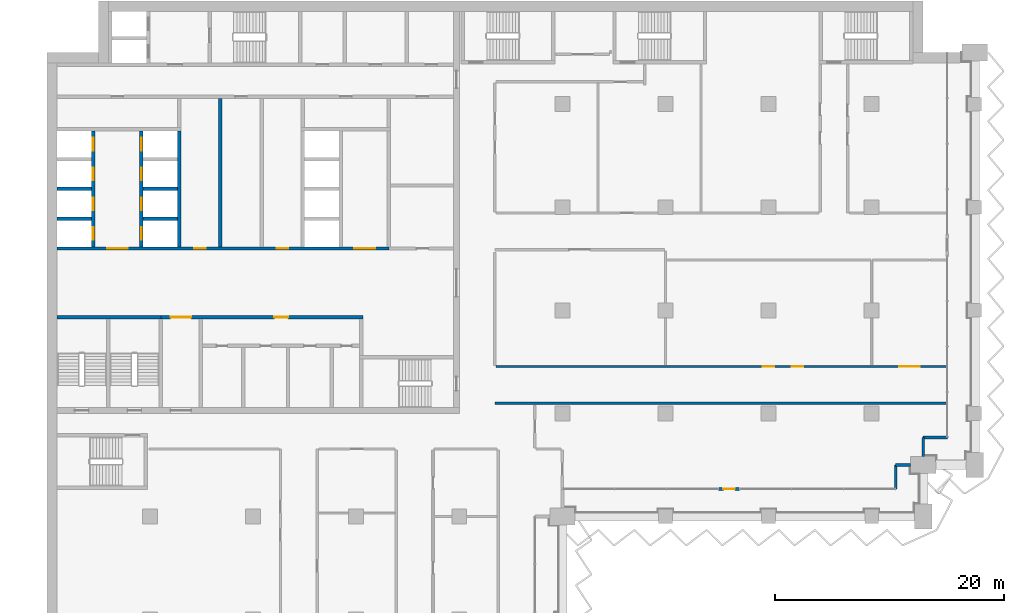
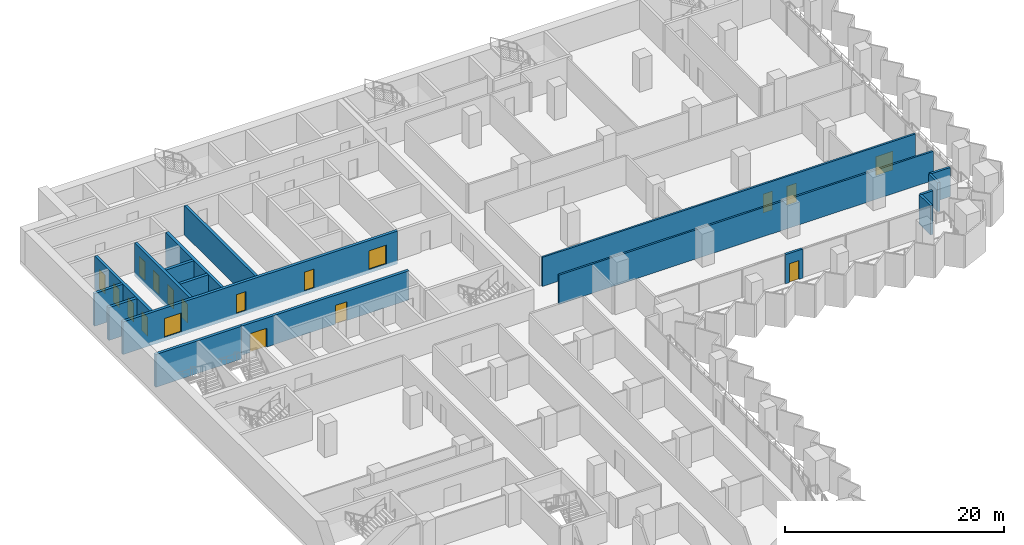
# One storey, part 12 of 23: 18 doors, 18 walls, 18 openings.
"""IFC4 building model written with IfcOpenShell, lengths in metres."""

import ifcopenshell
import ifcopenshell.guid

model = None  # the IFC model being written
_history = None  # IfcOwnerHistory: only IFC2X3 demands one
_inside = {}  # id of a spatial element -> (the spatial element, [elements in it])
_under = {}  # id of a project, library or spatial element -> (it, [spatial elements below it])
_declared = {}  # id of a project -> (the project, [libraries it declares])
_typed = {}  # id of a type object -> (the type object, [elements of that type])
_made_of = {}  # id of a material, layer set ... -> (it, [elements and type objects made of it])


def new_model(schema):
    """Start an empty IFC model of exactly this schema.

    Asked for "IFC4X3", IfcOpenShell would pick the latest addendum, in which some entities
    have other attributes; the version numbers below select the first issue.
    IFC2X3 requires an IfcOwnerHistory on every rooted entity: one is made here for all.
    """
    global model, _history
    if schema == "IFC4X3":
        model = ifcopenshell.file(schema_version=(4, 3, 0, 0))
    else:
        model = ifcopenshell.file(schema=schema)
    _inside.clear()
    _under.clear()
    _declared.clear()
    _typed.clear()
    _made_of.clear()
    _history = None
    if model.schema == "IFC2X3":
        org = make("IfcOrganization", Name="unknown")
        user = make(
            "IfcPersonAndOrganization",
            ThePerson=make("IfcPerson", FamilyName="unknown"),
            TheOrganization=org,
        )
        app = make(
            "IfcApplication",
            ApplicationDeveloper=org,
            Version="unknown",
            ApplicationFullName="unknown",
            ApplicationIdentifier="unknown",
        )
        _history = make(
            "IfcOwnerHistory",
            OwningUser=user,
            OwningApplication=app,
            ChangeAction="ADDED",
            CreationDate=0,
        )
    return model


def make(cls, **values):
    """One entity of the class cls with the attributes given. An attribute that is None is left unset."""
    return model.create_entity(
        cls, **{name: value for name, value in values.items() if value is not None}
    )


def rooted(cls, **values):
    """An entity with a GlobalId (a new one), such as an element, a storey or a relation."""
    return make(cls, GlobalId=ifcopenshell.guid.new(), OwnerHistory=_history, **values)


def si_unit(unit_type, name, prefix=None):
    """IfcSIUnit, for example si_unit("LENGTHUNIT", "METRE", prefix="MILLI")."""
    return make("IfcSIUnit", UnitType=unit_type, Prefix=prefix, Name=name)


def assignment(units):
    """IfcUnitAssignment: the units of a project."""
    return None if units is None else make("IfcUnitAssignment", Units=units)


def point(xyz):
    """IfcCartesianPoint."""
    return None if xyz is None else make("IfcCartesianPoint", Coordinates=xyz)


def direction(xyz):
    """IfcDirection."""
    return None if xyz is None else make("IfcDirection", DirectionRatios=xyz)


def frame(location, z_axis=None, x_axis=None):
    """IfcAxis2Placement3D, a coordinate frame: its origin and axes. An axis left out is left unset."""
    return make(
        "IfcAxis2Placement3D",
        Location=point(location),
        Axis=direction(z_axis),
        RefDirection=direction(x_axis),
    )


def frame_2d(location, x_axis=None):
    """IfcAxis2Placement2D, a coordinate frame in the plane: its origin and x axis."""
    return make(
        "IfcAxis2Placement2D", Location=point(location), RefDirection=direction(x_axis)
    )


def origin():
    """The frame at (0, 0, 0) with its axes left unset."""
    return frame((0.0, 0.0, 0.0))


def place(relative_to, where):
    """IfcLocalPlacement: puts the frame where relative to a parent placement (None: the world)."""
    return make(
        "IfcLocalPlacement", PlacementRelTo=relative_to, RelativePlacement=where
    )


def context(
    kind, dimensions, precision=None, world=None, true_north=None, identifier=None
):
    """IfcGeometricRepresentationContext, for example the 3D "Model" context."""
    return make(
        "IfcGeometricRepresentationContext",
        ContextIdentifier=identifier,
        ContextType=kind,
        CoordinateSpaceDimension=dimensions,
        Precision=precision,
        WorldCoordinateSystem=world,
        TrueNorth=true_north,
    )


def subcontext(parent, identifier, kind, view, scale=None):
    """IfcGeometricRepresentationSubContext, for example "Body" below "Model"."""
    return make(
        "IfcGeometricRepresentationSubContext",
        ContextIdentifier=identifier,
        ContextType=kind,
        ParentContext=parent,
        TargetScale=scale,
        TargetView=view,
    )


def project(units=None, contexts=None):
    """IfcProject with its units and contexts."""
    return rooted(
        "IfcProject",
        Name="project",
        RepresentationContexts=contexts,
        UnitsInContext=assignment(units),
    )


def spatial(cls, under=None, at=None, **own):
    """A site, building, storey or space (cls), placed at a placement, below another one or the project."""
    s = rooted(cls, ObjectPlacement=at, **own)
    if under is not None:
        _under.setdefault(under.id(), (under, []))[1].append(s)
    return s


def profile(cls, at=None, kind="AREA", **sizes):
    """A parametric profile (cls). Its sizes go by their IFC names, for example OverallWidth=200.0."""
    return make(cls, ProfileType=kind, Position=at, **sizes)


def rectangle(**sizes):
    """IfcRectangleProfileDef."""
    return profile("IfcRectangleProfileDef", **sizes)


def extrude(swept, where, along, depth):
    """IfcExtrudedAreaSolid: the profile swept, set in the frame where, extruded along a direction by depth."""
    return make(
        "IfcExtrudedAreaSolid",
        SweptArea=swept,
        Position=where,
        ExtrudedDirection=direction(along),
        Depth=depth,
    )


def shape(context_of_items, identifier, shape_type, items):
    """IfcShapeRepresentation: the items that make up one representation, for example the "Body"."""
    return make(
        "IfcShapeRepresentation",
        ContextOfItems=context_of_items,
        RepresentationIdentifier=identifier,
        RepresentationType=shape_type,
        Items=items,
    )


def material(Name=None, Category=None):
    """IfcMaterial."""
    return make("IfcMaterial", Name=Name, Category=Category)


def layer(
    of_material, thickness, ventilated=None, Name=None, Category=None, Priority=None
):
    """IfcMaterialLayer: one layer of a wall or slab, of a material (None: an air gap)."""
    return make(
        "IfcMaterialLayer",
        Material=of_material,
        LayerThickness=thickness,
        IsVentilated=ventilated,
        Name=Name,
        Category=Category,
        Priority=Priority,
    )


def layer_set(layers, Name=None):
    """IfcMaterialLayerSet."""
    return make("IfcMaterialLayerSet", MaterialLayers=layers, LayerSetName=Name)


def made_of(thing, what):
    """Note that an element or type object is made of a material, layer set ...; save() writes the relation."""
    if what is not None:
        _made_of.setdefault(what.id(), (what, []))[1].append(thing)
    return thing


def type_object(cls, material=None, **own):
    """A type object (cls), such as IfcWallType, which elements share."""
    return made_of(rooted(cls, **own), material)


def element(
    cls,
    number,
    at=None,
    inside=None,
    cuts=None,
    type_object=None,
    material=None,
    context=None,
    identifier="Body",
    shape_type=None,
    held_by="IfcProductDefinitionShape",
    body=None,
    shapes=None,
    **own,
):
    """One element of the class cls, such as IfcWall. Its Tag is "e" and its number.

    at: its placement. inside: the storey or other place that contains it. cuts: it is an
    opening in that element (IfcRelVoidsElement). A single representation is given by context,
    identifier, shape_type and body (its items); several are given by shapes. held_by: the class
    of the entity that holds the representations. save() writes the other relations.
    """
    e = rooted(cls, Tag="e%d" % number, ObjectPlacement=at, **own)
    if body is not None:
        shapes = [shape(context, identifier, shape_type, body)]
    if shapes is not None:
        e.Representation = make(held_by, Representations=shapes)
    if inside is not None:
        _inside.setdefault(inside.id(), (inside, []))[1].append(e)
    if cuts is not None:
        rooted(
            "IfcRelVoidsElement", RelatingBuildingElement=cuts, RelatedOpeningElement=e
        )
    if type_object is not None:
        _typed.setdefault(type_object.id(), (type_object, []))[1].append(e)
    return made_of(e, material)


def fill(opening, filler):
    """IfcRelFillsElement: the door or window that sits in an opening."""
    return rooted(
        "IfcRelFillsElement",
        RelatingOpeningElement=opening,
        RelatedBuildingElement=filler,
    )


def aggregate(whole, parts):
    """IfcRelAggregates: a whole, such as a stair, and the parts it consists of."""
    return rooted("IfcRelAggregates", RelatingObject=whole, RelatedObjects=parts)


def save(model, path):
    """Write the relations noted so far, then the file.

    IfcRelAggregates (storeys below a building ...), IfcRelContainedInSpatialStructure (elements
    in a storey), IfcRelDefinesByType, IfcRelAssociatesMaterial and IfcRelDeclares: one each for
    every whole, place, type object, material and project.
    """
    for whole, parts in _under.values():
        aggregate(whole, parts)
    for where, things in _inside.values():
        rooted(
            "IfcRelContainedInSpatialStructure",
            RelatedElements=things,
            RelatingStructure=where,
        )
    for kind, things in _typed.values():
        rooted("IfcRelDefinesByType", RelatedObjects=things, RelatingType=kind)
    for what, things in _made_of.values():
        rooted("IfcRelAssociatesMaterial", RelatedObjects=things, RelatingMaterial=what)
    for by, libraries in _declared.values():
        rooted("IfcRelDeclares", RelatingContext=by, RelatedDefinitions=libraries)
    model.write(path)


model = new_model("IFC4")

# Units and contexts
model_context = context("Model", 3, precision=1e-05, world=origin(), true_north=direction((0.0, 1.0)))
body_context = subcontext(model_context, "Body", "Model", "MODEL_VIEW")
ifc_project = project(units=[si_unit("LENGTHUNIT", "METRE"), si_unit("AREAUNIT", "SQUARE_METRE"), si_unit("VOLUMEUNIT", "CUBIC_METRE"), si_unit("PLANEANGLEUNIT", "RADIAN"), si_unit("MASSUNIT", "GRAM", prefix="KILO")], contexts=[model_context])

# Site, building, storey
site_placement = place(None, origin())
site = spatial("IfcSite", under=ifc_project, at=site_placement, CompositionType="ELEMENT")
building_placement = place(site_placement, origin())
building = spatial("IfcBuilding", under=site, at=building_placement, Name="Hunhe Ridgeline Campus", CompositionType="ELEMENT")
storey_placement = place(building_placement, frame((0.0, 0.0, 125.5)))
storey = spatial("IfcBuildingStorey", under=building, at=storey_placement, Name="L31", CompositionType="ELEMENT", Elevation=125.5)

# Wall, openings, doors
ifc_material_1 = material(Name="Masonry concrete blockwork", Category="masonry")
ifc_layer_1 = layer(ifc_material_1, 0.300048828125)
ifc_layer_set_1 = layer_set([ifc_layer_1], Name="Core room partition 300 concrete block")
wall_type_1 = type_object("IfcWallType", Name="Core room partition 300 concrete block", PredefinedType="PARTITIONING", material=ifc_layer_set_1)
wall_1_placement = place(storey_placement, frame((9.949951171875, 71.39990234375, 0.0), z_axis=(0.0, 0.0, 1.0), x_axis=(1.0, 0.0, 0.0)))
wall_1 = element("IfcWall", 1, at=wall_1_placement, inside=storey, type_object=wall_type_1, Name="L31 core partition 11", PredefinedType="PARTITIONING", context=body_context, shape_type="SweptSolid", body=[
    extrude(rectangle(XDim=17.650146484375, YDim=0.300048828125, at=frame_2d((8.8251953125, 0.0))), origin(), (0.0, 0.0, 1.0), 3.25),
])
opening_1_placement = place(wall_1_placement, frame((0.85009765625, 0.0, 0.0)))
opening_1 = element("IfcOpeningElement", 2, at=opening_1_placement, cuts=wall_1, Name="Opening CD7", PredefinedType="OPENING", context=body_context, shape_type="SweptSolid", body=[
    extrude(rectangle(XDim=1.800048828125, YDim=2.10009765625, at=frame_2d((0.89990234375, 1.050048828125))), frame((0.0, 0.14990234375, 0.0), z_axis=(0.0, -1.0, 0.0), x_axis=(1.0, 0.0, 0.0)), (0.0, 0.0, 1.0), 0.300048828125),
])
opening_2_placement = place(wall_1_placement, frame((9.89990234375, 0.0, 0.0)))
opening_2 = element("IfcOpeningElement", 3, at=opening_2_placement, cuts=wall_1, Name="Opening CD12", PredefinedType="OPENING", context=body_context, shape_type="SweptSolid", body=[
    extrude(rectangle(XDim=1.199951171875, YDim=2.10009765625, at=frame_2d((0.60009765625, 1.050048828125))), frame((0.0, 0.14990234375, 0.0), z_axis=(0.0, -1.0, 0.0), x_axis=(1.0, 0.0, 0.0)), (0.0, 0.0, 1.0), 0.300048828125),
])
ifc_material_2 = material(Name="Anodised aluminium and glass", Category="aluminium")
door_type_1 = type_object("IfcDoorType", Name="Glazed double door 1800x2100", OperationType="DOUBLE_DOOR_SINGLE_SWING", PredefinedType="DOOR", material=ifc_material_2)
door_1_placement = place(opening_1_placement, origin())
door_1 = element("IfcDoor", 4, at=door_1_placement, inside=storey, type_object=door_type_1, Name="L31 door VEST-HALL", OperationType="DOUBLE_DOOR_SINGLE_SWING", OverallHeight=2.10009765625, OverallWidth=1.800048828125, PredefinedType="DOOR", context=body_context, shape_type="SweptSolid", body=[
    extrude(rectangle(XDim=1.800048828125, YDim=2.10009765625, at=frame_2d((0.89990234375, 1.050048828125))), frame((0.0, 0.02490234375, 0.0), z_axis=(0.0, -1.0, 0.0), x_axis=(1.0, 0.0, 0.0)), (0.0, 0.0, 1.0), 0.050048828125),
])
fill(opening_1, door_1)
ifc_material_3 = material(Name="Solid core timber door leaf", Category="wood")
door_type_2 = type_object("IfcDoorType", Name="Timber door 1200x2100", OperationType="SINGLE_SWING_LEFT", PredefinedType="DOOR", material=ifc_material_3)
door_2_placement = place(opening_2_placement, origin())
door_2 = element("IfcDoor", 5, at=door_2_placement, inside=storey, type_object=door_type_2, Name="L31 door WCL2-HALL", OperationType="SINGLE_SWING_LEFT", OverallHeight=2.10009765625, OverallWidth=1.199951171875, PredefinedType="DOOR", context=body_context, shape_type="SweptSolid", body=[
    extrude(rectangle(XDim=1.199951171875, YDim=2.10009765625, at=frame_2d((0.60009765625, 1.050048828125))), frame((0.0, 0.02490234375, 0.0), z_axis=(0.0, -1.0, 0.0), x_axis=(1.0, 0.0, 0.0)), (0.0, 0.0, 1.0), 0.050048828125),
])
fill(opening_2, door_2)

# Walls
wall_2_placement = place(storey_placement, frame((15.14990234375, 77.550048828125, 0.0), z_axis=(0.0, 0.0, 1.0), x_axis=(0.0, 1.0, 0.0)))
element("IfcWall", 6, at=wall_2_placement, inside=storey, type_object=wall_type_1, Name="L31 core partition 44", PredefinedType="PARTITIONING", context=body_context, shape_type="SweptSolid", body=[
    extrude(rectangle(XDim=12.949951171875, YDim=0.300048828125, at=frame_2d((6.47509765625, 0.0))), origin(), (0.0, 0.0, 1.0), 3.25),
])
ifc_material_4 = material(Name="Concrete C30", Category="concrete")
ifc_layer_2 = layer(ifc_material_4, 0.25)
ifc_layer_set_2 = layer_set([ifc_layer_2], Name="Corner return wall 250 Concrete C30")
wall_type_2 = type_object("IfcWallType", Name="Corner return wall 250 Concrete C30", PredefinedType="SOLIDWALL", material=ifc_layer_set_2)
wall_3_placement = place(storey_placement, frame((74.09912109375, 56.40087890625, 0.0), z_axis=(0.0, 0.0, 1.0), x_axis=(0.00011626555, 0.999999993241, 0.0)))
element("IfcWall", 7, at=wall_3_placement, inside=storey, type_object=wall_type_2, Name="Corner return wall 4", PredefinedType="SOLIDWALL", context=body_context, shape_type="SweptSolid", body=[
    extrude(rectangle(XDim=2.099853515625, YDim=0.25, at=frame_2d((1.0498046875, 0.0))), origin(), (0.0, 0.0, 1.0), 3.25),
])
wall_4_placement = place(storey_placement, frame((74.099365234375, 58.500732421875, 0.0), z_axis=(0.0, 0.0, 1.0), x_axis=(0.99999998238, 0.000187722918, 0.0)))
element("IfcWall", 8, at=wall_4_placement, inside=storey, type_object=wall_type_2, Name="Corner return wall 5", PredefinedType="SOLIDWALL", context=body_context, shape_type="SweptSolid", body=[
    extrude(rectangle(XDim=1.300537109375, YDim=0.25, at=frame_2d((0.650390625, 0.0))), origin(), (0.0, 0.0, 1.0), 3.25),
])
wall_5_placement = place(storey_placement, frame((76.4990234375, 59.25, 0.0), z_axis=(0.0, 0.0, 1.0), x_axis=(0.000147907113, 0.999999989062, 0.0)))
element("IfcWall", 9, at=wall_5_placement, inside=storey, type_object=wall_type_2, Name="Corner return wall 6", PredefinedType="SOLIDWALL", context=body_context, shape_type="SweptSolid", body=[
    extrude(rectangle(XDim=1.650634765625, YDim=0.25, at=frame_2d((0.8251953125, 0.0))), origin(), (0.0, 0.0, 1.0), 3.25),
])
wall_6_placement = place(storey_placement, frame((76.499267578125, 60.900634765625, 0.0), z_axis=(0.0, 0.0, 1.0), x_axis=(0.999999993241, 0.00011626555, 0.0)))
element("IfcWall", 10, at=wall_6_placement, inside=storey, type_object=wall_type_2, Name="Corner return wall 7", PredefinedType="SOLIDWALL", context=body_context, shape_type="SweptSolid", body=[
    extrude(rectangle(XDim=2.099853515625, YDim=0.25, at=frame_2d((1.0498046875, 0.0))), origin(), (0.0, 0.0, 1.0), 3.25),
])
ifc_material_5 = material(Name="Gypsum board partition")
ifc_layer_3 = layer(ifc_material_5, 0.199951171875)
ifc_layer_set_3 = layer_set([ifc_layer_3], Name="Corridor partition 200 gypsum board on steel studs")
wall_type_3 = type_object("IfcWallType", Name="Corridor partition 200 gypsum board on steel studs", PredefinedType="PARTITIONING", material=ifc_layer_set_3)
wall_7_placement = place(storey_placement, frame((39.10009765625, 63.89990234375, 0.0), z_axis=(0.0, 0.0, 1.0), x_axis=(1.0, 0.0, 0.0)))
element("IfcWall", 11, at=wall_7_placement, inside=storey, type_object=wall_type_3, Name="F-L31-wall-039", PredefinedType="PARTITIONING", context=body_context, shape_type="SweptSolid", body=[
    extrude(rectangle(XDim=39.44482421875, YDim=0.199951171875, at=frame_2d((19.722412109375, 0.0))), origin(), (0.0, 0.0, 1.0), 3.25),
])

# Wall, openings, doors
wall_8_placement = place(storey_placement, frame((39.199951171875, 67.10009765625, 0.0), z_axis=(0.0, 0.0, 1.0), x_axis=(1.0, 0.0, 0.0)))
wall_8 = element("IfcWall", 12, at=wall_8_placement, inside=storey, type_object=wall_type_3, Name="F-L31-wall-040", PredefinedType="PARTITIONING", context=body_context, shape_type="SweptSolid", body=[
    extrude(rectangle(XDim=39.344970703125, YDim=0.199951171875, at=frame_2d((19.67236328125, 0.0))), origin(), (0.0, 0.0, 1.0), 3.25),
])
opening_3_placement = place(wall_8_placement, frame((23.3076171875, 0.0, 0.0)))
opening_3 = element("IfcOpeningElement", 13, at=opening_3_placement, cuts=wall_8, Name="Opening RD1-023", PredefinedType="OPENING", context=body_context, shape_type="SweptSolid", body=[
    extrude(rectangle(XDim=1.0, YDim=2.10009765625, at=frame_2d((0.5, 1.050048828125))), frame((0.0, 0.10009765625, 0.0), z_axis=(0.0, -1.0, 0.0), x_axis=(1.0, 0.0, 0.0)), (0.0, 0.0, 1.0), 0.199951171875),
])
opening_4_placement = place(wall_8_placement, frame((25.8076171875, 0.0, 0.0)))
opening_4 = element("IfcOpeningElement", 14, at=opening_4_placement, cuts=wall_8, Name="Opening RD1-024", PredefinedType="OPENING", context=body_context, shape_type="SweptSolid", body=[
    extrude(rectangle(XDim=1.0, YDim=2.10009765625, at=frame_2d((0.5, 1.050048828125))), frame((0.0, 0.10009765625, 0.0), z_axis=(0.0, -1.0, 0.0), x_axis=(1.0, 0.0, 0.0)), (0.0, 0.0, 1.0), 0.199951171875),
])
opening_5_placement = place(wall_8_placement, frame((35.18701171875, 0.0, 0.0)))
opening_5 = element("IfcOpeningElement", 15, at=opening_5_placement, cuts=wall_8, Name="Opening RD2-025", PredefinedType="OPENING", context=body_context, shape_type="SweptSolid", body=[
    extrude(rectangle(XDim=1.800048828125, YDim=2.10009765625, at=frame_2d((0.89990234375, 1.050048828125))), frame((0.0, 0.10009765625, 0.0), z_axis=(0.0, -1.0, 0.0), x_axis=(1.0, 0.0, 0.0)), (0.0, 0.0, 1.0), 0.199951171875),
])
ifc_material_6 = material(Name="Timber door leaf", Category="wood")
door_type_3 = type_object("IfcDoorType", Name="Double fire door 1800x2100 timber FD60", OperationType="DOUBLE_DOOR_SINGLE_SWING", PredefinedType="DOOR", material=ifc_material_6)
door_3_placement = place(opening_5_placement, origin())
door_3 = element("IfcDoor", 16, at=door_3_placement, inside=storey, type_object=door_type_3, Name="F-L31-door-025", OperationType="DOUBLE_DOOR_SINGLE_SWING", OverallHeight=2.10009765625, OverallWidth=1.800048828125, PredefinedType="DOOR", context=body_context, shape_type="SweptSolid", body=[
    extrude(rectangle(XDim=1.800048828125, YDim=2.10009765625, at=frame_2d((0.89990234375, 1.050048828125))), frame((0.0, 0.02490234375, 0.0), z_axis=(0.0, -1.0, 0.0), x_axis=(1.0, 0.0, 0.0)), (0.0, 0.0, 1.0), 0.050048828125),
])
fill(opening_5, door_3)
door_type_4 = type_object("IfcDoorType", Name="Single fire door 1000x2100 timber FD60", OperationType="NOTDEFINED", PredefinedType="DOOR", material=ifc_material_6)
door_4_placement = place(opening_3_placement, frame((1.0, 0.0, 0.0), z_axis=(0.0, 0.0, 1.0), x_axis=(-1.0, 0.0, 0.0)))
door_4 = element("IfcDoor", 17, at=door_4_placement, inside=storey, type_object=door_type_4, Name="F-L31-door-023", OperationType="SINGLE_SWING_LEFT", OverallHeight=2.10009765625, OverallWidth=1.0, PredefinedType="DOOR", context=body_context, shape_type="SweptSolid", body=[
    extrude(rectangle(XDim=1.0, YDim=2.10009765625, at=frame_2d((0.5, 1.050048828125))), frame((0.0, 0.02490234375, 0.0), z_axis=(0.0, -1.0, 0.0), x_axis=(1.0, 0.0, 0.0)), (0.0, 0.0, 1.0), 0.050048828125),
])
fill(opening_3, door_4)
door_5_placement = place(opening_4_placement, frame((1.0, 0.0, 0.0), z_axis=(0.0, 0.0, 1.0), x_axis=(-1.0, 0.0, 0.0)))
door_5 = element("IfcDoor", 18, at=door_5_placement, inside=storey, type_object=door_type_4, Name="F-L31-door-024", OperationType="SINGLE_SWING_LEFT", OverallHeight=2.10009765625, OverallWidth=1.0, PredefinedType="DOOR", context=body_context, shape_type="SweptSolid", body=[
    extrude(rectangle(XDim=1.0, YDim=2.10009765625, at=frame_2d((0.5, 1.050048828125))), frame((0.0, 0.02490234375, 0.0), z_axis=(0.0, -1.0, 0.0), x_axis=(1.0, 0.0, 0.0)), (0.0, 0.0, 1.0), 0.050048828125),
])
fill(opening_4, door_5)

# Wall, opening, door
ifc_layer_4 = layer(ifc_material_4, 0.25)
ifc_layer_set_4 = layer_set([ifc_layer_4], Name="Loggia door pier wall 250 Concrete C30")
wall_type_4 = type_object("IfcWallType", Name="Loggia door pier wall 250 Concrete C30", PredefinedType="SOLIDWALL", material=ifc_layer_set_4)
wall_9_placement = place(storey_placement, frame((58.6494140625, 56.40087890625, 0.0), z_axis=(0.0, 0.0, 1.0), x_axis=(1.0, 0.0, 0.0)))
wall_9 = element("IfcWall", 19, at=wall_9_placement, inside=storey, type_object=wall_type_4, Name="Loggia door pier 4", PredefinedType="SOLIDWALL", context=body_context, shape_type="SweptSolid", body=[
    extrude(rectangle(XDim=1.800048828125, YDim=0.25, at=frame_2d((0.89990234375, 0.0))), origin(), (0.0, 0.0, 1.0), 3.25),
])
opening_6_placement = place(wall_9_placement, frame((0.39990234375, 0.0, 0.0)))
opening_6 = element("IfcOpeningElement", 20, at=opening_6_placement, cuts=wall_9, Name="Opening BD206", PredefinedType="OPENING", context=body_context, shape_type="SweptSolid", body=[
    extrude(rectangle(XDim=1.0, YDim=2.10009765625, at=frame_2d((0.5, 1.050048828125))), frame((0.0, 0.125, 0.0), z_axis=(0.0, -1.0, 0.0), x_axis=(1.0, 0.0, 0.0)), (0.0, 0.0, 1.0), 0.25),
])
ifc_material_7 = material(Name="Aluminium 6063", Category="aluminium")
door_type_5 = type_object("IfcDoorType", Name="Loggia glazed door 1000x2100", OperationType="NOTDEFINED", PredefinedType="DOOR", material=ifc_material_7)
door_6_placement = place(opening_6_placement, frame((1.0, 0.0, 0.0), z_axis=(0.0, 0.0, 1.0), x_axis=(-1.0, 0.0, 0.0)))
door_6 = element("IfcDoor", 21, at=door_6_placement, inside=storey, type_object=door_type_5, Name="Loggia door BD206", OperationType="SINGLE_SWING_LEFT", OverallHeight=2.10009765625, OverallWidth=1.0, PredefinedType="DOOR", context=body_context, shape_type="SweptSolid", body=[
    extrude(rectangle(XDim=1.0, YDim=2.10009765625, at=frame_2d((0.5, 1.050048828125))), frame((0.0, 0.02490234375, 0.0), z_axis=(0.0, -1.0, 0.0), x_axis=(1.0, 0.0, 0.0)), (0.0, 0.0, 1.0), 0.050048828125),
])
fill(opening_6, door_6)

# Wall, openings, doors
ifc_material_8 = material(Name="Concrete C80", Category="concrete")
ifc_layer_5 = layer(ifc_material_8, 0.300048828125)
ifc_layer_set_5 = layer_set([ifc_layer_5], Name="Shaft wall 300 reinforced concrete C80")
wall_type_5 = type_object("IfcWallType", Name="Shaft wall 300 reinforced concrete C80", PredefinedType="SOLIDWALL", material=ifc_layer_set_5)
wall_10_placement = place(storey_placement, frame((0.89990234375, 77.39990234375, -0.39990234375), z_axis=(0.0, 0.0, 1.0), x_axis=(1.0, 0.0, 0.0)))
wall_10 = element("IfcWall", 22, at=wall_10_placement, inside=storey, type_object=wall_type_5, Name="L31 core wall 12", PredefinedType="SOLIDWALL", context=body_context, shape_type="SweptSolid", body=[
    extrude(rectangle(XDim=28.9501953125, YDim=0.300048828125, at=frame_2d((14.47509765625, 0.0))), origin(), (0.0, 0.0, 1.0), 3.64990234375),
])
opening_7_placement = place(wall_10_placement, frame((4.35009765625, 0.0, 0.39990234375)))
opening_7 = element("IfcOpeningElement", 23, at=opening_7_placement, cuts=wall_10, Name="Opening CD1", PredefinedType="OPENING", context=body_context, shape_type="SweptSolid", body=[
    extrude(rectangle(XDim=1.800048828125, YDim=2.10009765625, at=frame_2d((0.89990234375, 1.050048828125))), frame((0.0, 0.14990234375, 0.0), z_axis=(0.0, -1.0, 0.0), x_axis=(1.0, 0.0, 0.0)), (0.0, 0.0, 1.0), 0.300048828125),
])
opening_8_placement = place(wall_10_placement, frame((25.949951171875, 0.0, 0.39990234375)))
opening_8 = element("IfcOpeningElement", 24, at=opening_8_placement, cuts=wall_10, Name="Opening CD2", PredefinedType="OPENING", context=body_context, shape_type="SweptSolid", body=[
    extrude(rectangle(XDim=1.800048828125, YDim=2.10009765625, at=frame_2d((0.89990234375, 1.050048828125))), frame((0.0, 0.14990234375, 0.0), z_axis=(0.0, -1.0, 0.0), x_axis=(1.0, 0.0, 0.0)), (0.0, 0.0, 1.0), 0.300048828125),
])
opening_9_placement = place(wall_10_placement, frame((11.949951171875, 0.0, 0.39990234375)))
opening_9 = element("IfcOpeningElement", 25, at=opening_9_placement, cuts=wall_10, Name="Opening CD28", PredefinedType="OPENING", context=body_context, shape_type="SweptSolid", body=[
    extrude(rectangle(XDim=1.0, YDim=2.10009765625, at=frame_2d((0.5, 1.050048828125))), frame((0.0, 0.14990234375, 0.0), z_axis=(0.0, -1.0, 0.0), x_axis=(1.0, 0.0, 0.0)), (0.0, 0.0, 1.0), 0.300048828125),
])
opening_10_placement = place(wall_10_placement, frame((19.14990234375, 0.0, 0.39990234375)))
opening_10 = element("IfcOpeningElement", 26, at=opening_10_placement, cuts=wall_10, Name="Opening CD30", PredefinedType="OPENING", context=body_context, shape_type="SweptSolid", body=[
    extrude(rectangle(XDim=1.0, YDim=2.10009765625, at=frame_2d((0.5, 1.050048828125))), frame((0.0, 0.14990234375, 0.0), z_axis=(0.0, -1.0, 0.0), x_axis=(1.0, 0.0, 0.0)), (0.0, 0.0, 1.0), 0.300048828125),
])
ifc_material_9 = material(Name="Hollow metal fire door leaf")
door_type_6 = type_object("IfcDoorType", Name="Lobby door 1800x2100 FD60", OperationType="SINGLE_SWING_LEFT", PredefinedType="DOOR", material=ifc_material_9)
door_7_placement = place(opening_7_placement, frame((1.800048828125, 0.0, 0.0), z_axis=(0.0, 0.0, 1.0), x_axis=(-1.0, 0.0, 0.0)))
door_7 = element("IfcDoor", 27, at=door_7_placement, inside=storey, type_object=door_type_6, Name="L31 door LOB-LR", OperationType="SINGLE_SWING_RIGHT", OverallHeight=2.10009765625, OverallWidth=1.800048828125, PredefinedType="DOOR", context=body_context, shape_type="SweptSolid", body=[
    extrude(rectangle(XDim=1.800048828125, YDim=2.10009765625, at=frame_2d((0.89990234375, 1.050048828125))), frame((0.0, 0.02490234375, 0.0), z_axis=(0.0, -1.0, 0.0), x_axis=(1.0, 0.0, 0.0)), (0.0, 0.0, 1.0), 0.050048828125),
])
fill(opening_7, door_7)
door_8_placement = place(opening_8_placement, frame((1.800048828125, 0.0, 0.0), z_axis=(0.0, 0.0, 1.0), x_axis=(-1.0, 0.0, 0.0)))
door_8 = element("IfcDoor", 28, at=door_8_placement, inside=storey, type_object=door_type_6, Name="L31 door LOB-SH", OperationType="SINGLE_SWING_LEFT", OverallHeight=2.10009765625, OverallWidth=1.800048828125, PredefinedType="DOOR", context=body_context, shape_type="SweptSolid", body=[
    extrude(rectangle(XDim=1.800048828125, YDim=2.10009765625, at=frame_2d((0.89990234375, 1.050048828125))), frame((0.0, 0.02490234375, 0.0), z_axis=(0.0, -1.0, 0.0), x_axis=(1.0, 0.0, 0.0)), (0.0, 0.0, 1.0), 0.050048828125),
])
fill(opening_8, door_8)
door_type_7 = type_object("IfcDoorType", Name="Timber door 1000x2100", OperationType="SINGLE_SWING_LEFT", PredefinedType="DOOR", material=ifc_material_3)
door_9_placement = place(opening_9_placement, origin())
door_9 = element("IfcDoor", 29, at=door_9_placement, inside=storey, type_object=door_type_7, Name="L31 door VD-HR0", OperationType="SINGLE_SWING_LEFT", OverallHeight=2.10009765625, OverallWidth=1.0, PredefinedType="DOOR", context=body_context, shape_type="SweptSolid", body=[
    extrude(rectangle(XDim=1.0, YDim=2.10009765625, at=frame_2d((0.5, 1.050048828125))), frame((0.0, 0.02490234375, 0.0), z_axis=(0.0, -1.0, 0.0), x_axis=(1.0, 0.0, 0.0)), (0.0, 0.0, 1.0), 0.050048828125),
])
fill(opening_9, door_9)
door_10_placement = place(opening_10_placement, origin())
door_10 = element("IfcDoor", 30, at=door_10_placement, inside=storey, type_object=door_type_7, Name="L31 door VD-HR2", OperationType="SINGLE_SWING_LEFT", OverallHeight=2.10009765625, OverallWidth=1.0, PredefinedType="DOOR", context=body_context, shape_type="SweptSolid", body=[
    extrude(rectangle(XDim=1.0, YDim=2.10009765625, at=frame_2d((0.5, 1.050048828125))), frame((0.0, 0.02490234375, 0.0), z_axis=(0.0, -1.0, 0.0), x_axis=(1.0, 0.0, 0.0)), (0.0, 0.0, 1.0), 0.050048828125),
])
fill(opening_10, door_10)

# Walls
for number, where, z_axis, x_axis, name in (
    (31, (0.89990234375, 80.0, -0.39990234375), (0.0, 0.0, 1.0), (1.0, 0.0, 0.0), "L31 core wall 14"),
    (32, (8.39990234375, 80.0, -0.39990234375), (0.0, 0.0, 1.0), (1.0, 0.0, 0.0), "L31 core wall 15"),
    (33, (0.89990234375, 82.60009765625, -0.39990234375), (0.0, 0.0, 1.0), (1.0, 0.0, 0.0), "L31 core wall 17"),
    (34, (8.39990234375, 82.60009765625, -0.39990234375), (0.0, 0.0, 1.0), (1.0, 0.0, 0.0), "L31 core wall 18"),
):
    element("IfcWall", number, at=place(storey_placement, frame(where, z_axis=z_axis, x_axis=x_axis)), inside=storey, type_object=wall_type_5, Name=name, PredefinedType="SOLIDWALL", context=body_context, shape_type="SweptSolid", body=[
        extrude(rectangle(XDim=3.0, YDim=0.300048828125, at=frame_2d((1.5, 0.0))), origin(), (0.0, 0.0, 1.0), 3.64990234375),
    ])

# Wall, openings, doors
wall_11_placement = place(storey_placement, frame((4.050048828125, 77.550048828125, -0.39990234375), z_axis=(0.0, 0.0, 1.0), x_axis=(0.0, 1.0, 0.0)))
wall_11 = element("IfcWall", 35, at=wall_11_placement, inside=storey, type_object=wall_type_5, Name="L31 core wall 32", PredefinedType="SOLIDWALL", context=body_context, shape_type="SweptSolid", body=[
    extrude(rectangle(XDim=10.099853515625, YDim=0.300048828125, at=frame_2d((5.0498046875, 0.0))), origin(), (0.0, 0.0, 1.0), 3.64990234375),
])
opening_11_placement = place(wall_11_placement, frame((0.60009765625, 0.0, 0.39990234375)))
opening_11 = element("IfcOpeningElement", 36, at=opening_11_placement, cuts=wall_11, Name="Opening LD-LR1", PredefinedType="OPENING", context=body_context, shape_type="SweptSolid", body=[
    extrude(rectangle(XDim=1.10009765625, YDim=2.10009765625, at=frame_2d((0.550048828125, 1.050048828125))), frame((0.0, 0.14990234375, 0.0), z_axis=(0.0, -1.0, 0.0), x_axis=(1.0, 0.0, 0.0)), (0.0, 0.0, 1.0), 0.300048828125),
])
opening_12_placement = place(wall_11_placement, frame((3.199951171875, 0.0, 0.39990234375)))
opening_12 = element("IfcOpeningElement", 37, at=opening_12_placement, cuts=wall_11, Name="Opening LD-LR2", PredefinedType="OPENING", context=body_context, shape_type="SweptSolid", body=[
    extrude(rectangle(XDim=1.10009765625, YDim=2.10009765625, at=frame_2d((0.550048828125, 1.050048828125))), frame((0.0, 0.14990234375, 0.0), z_axis=(0.0, -1.0, 0.0), x_axis=(1.0, 0.0, 0.0)), (0.0, 0.0, 1.0), 0.300048828125),
])
opening_13_placement = place(wall_11_placement, frame((5.800048828125, 0.0, 0.39990234375)))
opening_13 = element("IfcOpeningElement", 38, at=opening_13_placement, cuts=wall_11, Name="Opening LD-LR3", PredefinedType="OPENING", context=body_context, shape_type="SweptSolid", body=[
    extrude(rectangle(XDim=1.10009765625, YDim=2.10009765625, at=frame_2d((0.550048828125, 1.050048828125))), frame((0.0, 0.14990234375, 0.0), z_axis=(0.0, -1.0, 0.0), x_axis=(1.0, 0.0, 0.0)), (0.0, 0.0, 1.0), 0.300048828125),
])
opening_14_placement = place(wall_11_placement, frame((8.39990234375, 0.0, 0.39990234375)))
opening_14 = element("IfcOpeningElement", 39, at=opening_14_placement, cuts=wall_11, Name="Opening LD-LR4", PredefinedType="OPENING", context=body_context, shape_type="SweptSolid", body=[
    extrude(rectangle(XDim=1.10009765625, YDim=2.10009765625, at=frame_2d((0.550048828125, 1.050048828125))), frame((0.0, 0.14990234375, 0.0), z_axis=(0.0, -1.0, 0.0), x_axis=(1.0, 0.0, 0.0)), (0.0, 0.0, 1.0), 0.300048828125),
])
ifc_material_10 = material(Name="Stainless steel sliding leaves", Category="steel")
door_type_8 = type_object("IfcDoorType", Name="Landing door 1100x2100 FD120", OperationType="SLIDING_TO_LEFT", PredefinedType="DOOR", material=ifc_material_10)
door_11_placement = place(opening_11_placement, origin())
door_11 = element("IfcDoor", 40, at=door_11_placement, inside=storey, type_object=door_type_8, Name="L31 landing door LR1", OperationType="SLIDING_TO_RIGHT", OverallHeight=2.10009765625, OverallWidth=1.10009765625, PredefinedType="DOOR", context=body_context, shape_type="SweptSolid", body=[
    extrude(rectangle(XDim=1.10009765625, YDim=2.10009765625, at=frame_2d((0.550048828125, 1.050048828125))), frame((0.0, 0.02490234375, 0.0), z_axis=(0.0, -1.0, 0.0), x_axis=(1.0, 0.0, 0.0)), (0.0, 0.0, 1.0), 0.050048828125),
])
fill(opening_11, door_11)
door_12_placement = place(opening_12_placement, origin())
door_12 = element("IfcDoor", 41, at=door_12_placement, inside=storey, type_object=door_type_8, Name="L31 landing door LR2", OperationType="SLIDING_TO_LEFT", OverallHeight=2.10009765625, OverallWidth=1.10009765625, PredefinedType="DOOR", context=body_context, shape_type="SweptSolid", body=[
    extrude(rectangle(XDim=1.10009765625, YDim=2.10009765625, at=frame_2d((0.550048828125, 1.050048828125))), frame((0.0, 0.02490234375, 0.0), z_axis=(0.0, -1.0, 0.0), x_axis=(1.0, 0.0, 0.0)), (0.0, 0.0, 1.0), 0.050048828125),
])
fill(opening_12, door_12)
door_13_placement = place(opening_13_placement, origin())
door_13 = element("IfcDoor", 42, at=door_13_placement, inside=storey, type_object=door_type_8, Name="L31 landing door LR3", OperationType="SLIDING_TO_RIGHT", OverallHeight=2.10009765625, OverallWidth=1.10009765625, PredefinedType="DOOR", context=body_context, shape_type="SweptSolid", body=[
    extrude(rectangle(XDim=1.10009765625, YDim=2.10009765625, at=frame_2d((0.550048828125, 1.050048828125))), frame((0.0, 0.02490234375, 0.0), z_axis=(0.0, -1.0, 0.0), x_axis=(1.0, 0.0, 0.0)), (0.0, 0.0, 1.0), 0.050048828125),
])
fill(opening_13, door_13)
door_14_placement = place(opening_14_placement, origin())
door_14 = element("IfcDoor", 43, at=door_14_placement, inside=storey, type_object=door_type_8, Name="L31 landing door LR4", OperationType="SLIDING_TO_LEFT", OverallHeight=2.10009765625, OverallWidth=1.10009765625, PredefinedType="DOOR", context=body_context, shape_type="SweptSolid", body=[
    extrude(rectangle(XDim=1.10009765625, YDim=2.10009765625, at=frame_2d((0.550048828125, 1.050048828125))), frame((0.0, 0.02490234375, 0.0), z_axis=(0.0, -1.0, 0.0), x_axis=(1.0, 0.0, 0.0)), (0.0, 0.0, 1.0), 0.050048828125),
])
fill(opening_14, door_14)

wall_12_placement = place(storey_placement, frame((8.25, 77.550048828125, -0.39990234375), z_axis=(0.0, 0.0, 1.0), x_axis=(0.0, 1.0, 0.0)))
wall_12 = element("IfcWall", 44, at=wall_12_placement, inside=storey, type_object=wall_type_5, Name="L31 core wall 35", PredefinedType="SOLIDWALL", context=body_context, shape_type="SweptSolid", body=[
    extrude(rectangle(XDim=10.099853515625, YDim=0.300048828125, at=frame_2d((5.0498046875, 0.0))), origin(), (0.0, 0.0, 1.0), 3.64990234375),
])
opening_15_placement = place(wall_12_placement, frame((0.60009765625, 0.0, 0.39990234375)))
opening_15 = element("IfcOpeningElement", 45, at=opening_15_placement, cuts=wall_12, Name="Opening LD-LR5", PredefinedType="OPENING", context=body_context, shape_type="SweptSolid", body=[
    extrude(rectangle(XDim=1.10009765625, YDim=2.10009765625, at=frame_2d((0.550048828125, 1.050048828125))), frame((0.0, 0.14990234375, 0.0), z_axis=(0.0, -1.0, 0.0), x_axis=(1.0, 0.0, 0.0)), (0.0, 0.0, 1.0), 0.300048828125),
])
opening_16_placement = place(wall_12_placement, frame((3.199951171875, 0.0, 0.39990234375)))
opening_16 = element("IfcOpeningElement", 46, at=opening_16_placement, cuts=wall_12, Name="Opening LD-LR6", PredefinedType="OPENING", context=body_context, shape_type="SweptSolid", body=[
    extrude(rectangle(XDim=1.10009765625, YDim=2.10009765625, at=frame_2d((0.550048828125, 1.050048828125))), frame((0.0, 0.14990234375, 0.0), z_axis=(0.0, -1.0, 0.0), x_axis=(1.0, 0.0, 0.0)), (0.0, 0.0, 1.0), 0.300048828125),
])
opening_17_placement = place(wall_12_placement, frame((5.800048828125, 0.0, 0.39990234375)))
opening_17 = element("IfcOpeningElement", 47, at=opening_17_placement, cuts=wall_12, Name="Opening LD-LR7", PredefinedType="OPENING", context=body_context, shape_type="SweptSolid", body=[
    extrude(rectangle(XDim=1.10009765625, YDim=2.10009765625, at=frame_2d((0.550048828125, 1.050048828125))), frame((0.0, 0.14990234375, 0.0), z_axis=(0.0, -1.0, 0.0), x_axis=(1.0, 0.0, 0.0)), (0.0, 0.0, 1.0), 0.300048828125),
])
opening_18_placement = place(wall_12_placement, frame((8.39990234375, 0.0, 0.39990234375)))
opening_18 = element("IfcOpeningElement", 48, at=opening_18_placement, cuts=wall_12, Name="Opening LD-LR8", PredefinedType="OPENING", context=body_context, shape_type="SweptSolid", body=[
    extrude(rectangle(XDim=1.10009765625, YDim=2.10009765625, at=frame_2d((0.550048828125, 1.050048828125))), frame((0.0, 0.14990234375, 0.0), z_axis=(0.0, -1.0, 0.0), x_axis=(1.0, 0.0, 0.0)), (0.0, 0.0, 1.0), 0.300048828125),
])
door_15_placement = place(opening_15_placement, origin())
door_15 = element("IfcDoor", 49, at=door_15_placement, inside=storey, type_object=door_type_8, Name="L31 landing door LR5", OperationType="SLIDING_TO_RIGHT", OverallHeight=2.10009765625, OverallWidth=1.10009765625, PredefinedType="DOOR", context=body_context, shape_type="SweptSolid", body=[
    extrude(rectangle(XDim=1.10009765625, YDim=2.10009765625, at=frame_2d((0.550048828125, 1.050048828125))), frame((0.0, 0.02490234375, 0.0), z_axis=(0.0, -1.0, 0.0), x_axis=(1.0, 0.0, 0.0)), (0.0, 0.0, 1.0), 0.050048828125),
])
fill(opening_15, door_15)
door_16_placement = place(opening_16_placement, origin())
door_16 = element("IfcDoor", 50, at=door_16_placement, inside=storey, type_object=door_type_8, Name="L31 landing door LR6", OperationType="SLIDING_TO_LEFT", OverallHeight=2.10009765625, OverallWidth=1.10009765625, PredefinedType="DOOR", context=body_context, shape_type="SweptSolid", body=[
    extrude(rectangle(XDim=1.10009765625, YDim=2.10009765625, at=frame_2d((0.550048828125, 1.050048828125))), frame((0.0, 0.02490234375, 0.0), z_axis=(0.0, -1.0, 0.0), x_axis=(1.0, 0.0, 0.0)), (0.0, 0.0, 1.0), 0.050048828125),
])
fill(opening_16, door_16)
door_17_placement = place(opening_17_placement, origin())
door_17 = element("IfcDoor", 51, at=door_17_placement, inside=storey, type_object=door_type_8, Name="L31 landing door LR7", OperationType="SLIDING_TO_RIGHT", OverallHeight=2.10009765625, OverallWidth=1.10009765625, PredefinedType="DOOR", context=body_context, shape_type="SweptSolid", body=[
    extrude(rectangle(XDim=1.10009765625, YDim=2.10009765625, at=frame_2d((0.550048828125, 1.050048828125))), frame((0.0, 0.02490234375, 0.0), z_axis=(0.0, -1.0, 0.0), x_axis=(1.0, 0.0, 0.0)), (0.0, 0.0, 1.0), 0.050048828125),
])
fill(opening_17, door_17)
door_18_placement = place(opening_18_placement, origin())
door_18 = element("IfcDoor", 52, at=door_18_placement, inside=storey, type_object=door_type_8, Name="L31 landing door LR8", OperationType="SLIDING_TO_LEFT", OverallHeight=2.10009765625, OverallWidth=1.10009765625, PredefinedType="DOOR", context=body_context, shape_type="SweptSolid", body=[
    extrude(rectangle(XDim=1.10009765625, YDim=2.10009765625, at=frame_2d((0.550048828125, 1.050048828125))), frame((0.0, 0.02490234375, 0.0), z_axis=(0.0, -1.0, 0.0), x_axis=(1.0, 0.0, 0.0)), (0.0, 0.0, 1.0), 0.050048828125),
])
fill(opening_18, door_18)

# Walls
wall_13_placement = place(storey_placement, frame((11.550048828125, 77.550048828125, -0.39990234375), z_axis=(0.0, 0.0, 1.0), x_axis=(0.0, 1.0, 0.0)))
element("IfcWall", 53, at=wall_13_placement, inside=storey, type_object=wall_type_5, Name="L31 core wall 40", PredefinedType="SOLIDWALL", context=body_context, shape_type="SweptSolid", body=[
    extrude(rectangle(XDim=10.099853515625, YDim=0.300048828125, at=frame_2d((5.0498046875, 0.0))), origin(), (0.0, 0.0, 1.0), 3.64990234375),
])
ifc_layer_6 = layer(ifc_material_8, 0.300048828125)
ifc_layer_set_6 = layer_set([ifc_layer_6], Name="Stair wall 300 reinforced concrete C80")
wall_type_6 = type_object("IfcWallType", Name="Stair wall 300 reinforced concrete C80", PredefinedType="SOLIDWALL", material=ifc_layer_set_6)
wall_14_placement = place(storey_placement, frame((0.89990234375, 71.39990234375, -0.39990234375), z_axis=(0.0, 0.0, 1.0), x_axis=(1.0, 0.0, 0.0)))
element("IfcWall", 54, at=wall_14_placement, inside=storey, type_object=wall_type_6, Name="L31 core wall 10", PredefinedType="SOLIDWALL", context=body_context, shape_type="SweptSolid", body=[
    extrude(rectangle(XDim=9.050048828125, YDim=0.300048828125, at=frame_2d((4.52490234375, 0.0))), origin(), (0.0, 0.0, 1.0), 3.64990234375),
])

save(model, "model.ifc")
